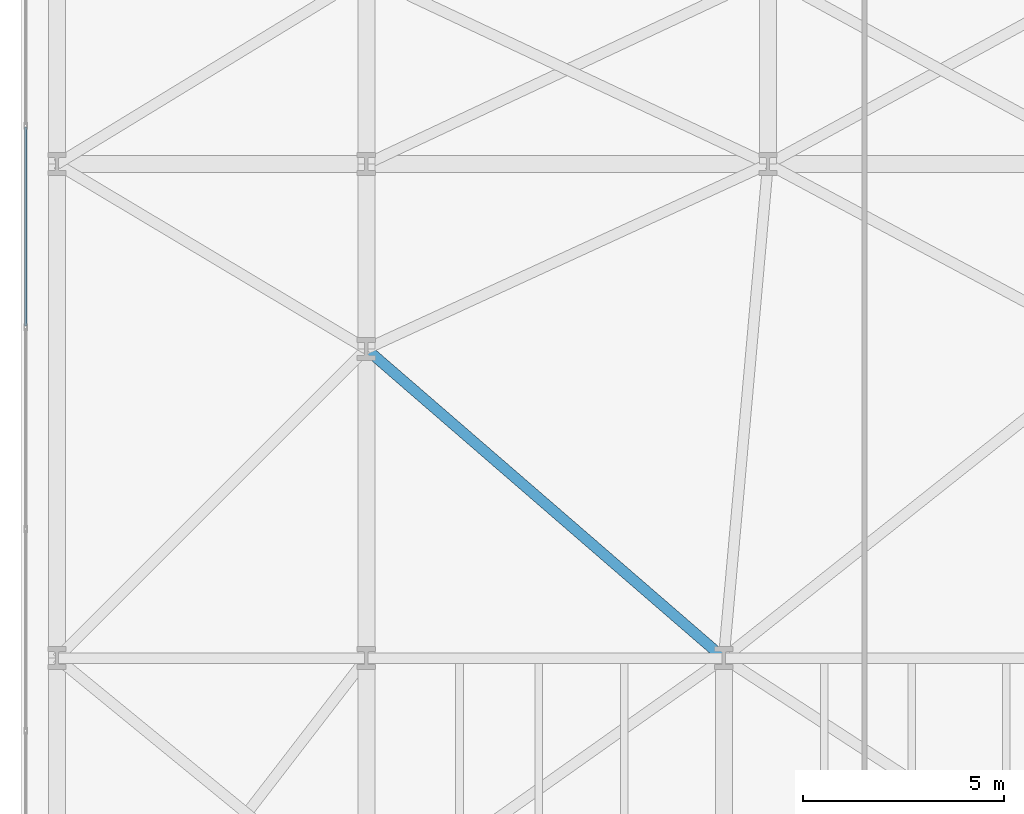
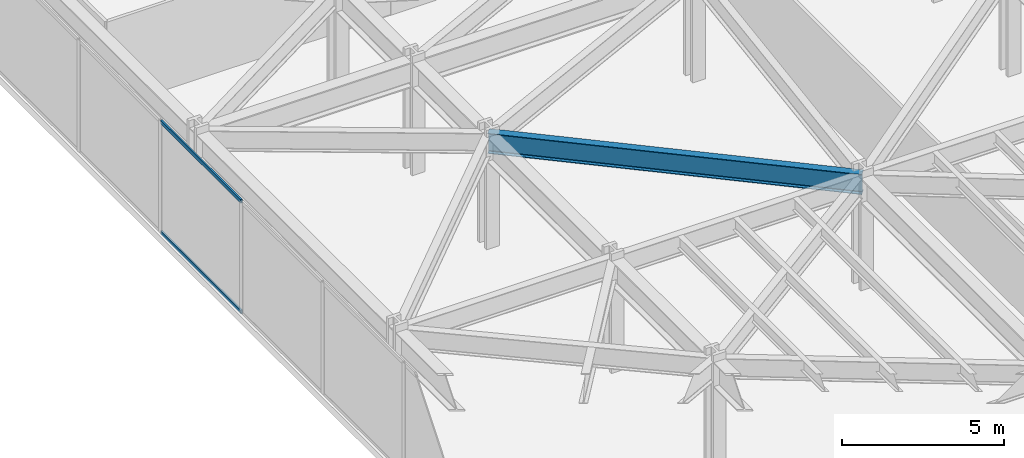
# One storey, part 9 of 28: 2 members, 1 beam, 1 element without a shape of its own.
"""IFC4 building model written with IfcOpenShell, lengths in metres."""

import ifcopenshell
import ifcopenshell.guid

model = None  # the IFC model being written
_history = None  # IfcOwnerHistory: only IFC2X3 demands one
_inside = {}  # id of a spatial element -> (the spatial element, [elements in it])
_under = {}  # id of a project, library or spatial element -> (it, [spatial elements below it])
_declared = {}  # id of a project -> (the project, [libraries it declares])
_typed = {}  # id of a type object -> (the type object, [elements of that type])
_made_of = {}  # id of a material, layer set ... -> (it, [elements and type objects made of it])


def new_model(schema):
    """Start an empty IFC model of exactly this schema.

    Asked for "IFC4X3", IfcOpenShell would pick the latest addendum, in which some entities
    have other attributes; the version numbers below select the first issue.
    IFC2X3 requires an IfcOwnerHistory on every rooted entity: one is made here for all.
    """
    global model, _history
    if schema == "IFC4X3":
        model = ifcopenshell.file(schema_version=(4, 3, 0, 0))
    else:
        model = ifcopenshell.file(schema=schema)
    _inside.clear()
    _under.clear()
    _declared.clear()
    _typed.clear()
    _made_of.clear()
    _history = None
    if model.schema == "IFC2X3":
        org = make("IfcOrganization", Name="unknown")
        user = make(
            "IfcPersonAndOrganization",
            ThePerson=make("IfcPerson", FamilyName="unknown"),
            TheOrganization=org,
        )
        app = make(
            "IfcApplication",
            ApplicationDeveloper=org,
            Version="unknown",
            ApplicationFullName="unknown",
            ApplicationIdentifier="unknown",
        )
        _history = make(
            "IfcOwnerHistory",
            OwningUser=user,
            OwningApplication=app,
            ChangeAction="ADDED",
            CreationDate=0,
        )
    return model


def make(cls, **values):
    """One entity of the class cls with the attributes given. An attribute that is None is left unset."""
    return model.create_entity(
        cls, **{name: value for name, value in values.items() if value is not None}
    )


def rooted(cls, **values):
    """An entity with a GlobalId (a new one), such as an element, a storey or a relation."""
    return make(cls, GlobalId=ifcopenshell.guid.new(), OwnerHistory=_history, **values)


def si_unit(unit_type, name, prefix=None):
    """IfcSIUnit, for example si_unit("LENGTHUNIT", "METRE", prefix="MILLI")."""
    return make("IfcSIUnit", UnitType=unit_type, Prefix=prefix, Name=name)


def assignment(units):
    """IfcUnitAssignment: the units of a project."""
    return None if units is None else make("IfcUnitAssignment", Units=units)


def point(xyz):
    """IfcCartesianPoint."""
    return None if xyz is None else make("IfcCartesianPoint", Coordinates=xyz)


def direction(xyz):
    """IfcDirection."""
    return None if xyz is None else make("IfcDirection", DirectionRatios=xyz)


def frame(location, z_axis=None, x_axis=None):
    """IfcAxis2Placement3D, a coordinate frame: its origin and axes. An axis left out is left unset."""
    return make(
        "IfcAxis2Placement3D",
        Location=point(location),
        Axis=direction(z_axis),
        RefDirection=direction(x_axis),
    )


def frame_2d(location, x_axis=None):
    """IfcAxis2Placement2D, a coordinate frame in the plane: its origin and x axis."""
    return make(
        "IfcAxis2Placement2D", Location=point(location), RefDirection=direction(x_axis)
    )


def origin():
    """The frame at (0, 0, 0) with its axes left unset."""
    return frame((0.0, 0.0, 0.0))


def origin_2d():
    """The frame at (0, 0) in the plane with its x axis left unset."""
    return frame_2d((0.0, 0.0))


def place(relative_to, where):
    """IfcLocalPlacement: puts the frame where relative to a parent placement (None: the world)."""
    return make(
        "IfcLocalPlacement", PlacementRelTo=relative_to, RelativePlacement=where
    )


def context(
    kind, dimensions, precision=None, world=None, true_north=None, identifier=None
):
    """IfcGeometricRepresentationContext, for example the 3D "Model" context."""
    return make(
        "IfcGeometricRepresentationContext",
        ContextIdentifier=identifier,
        ContextType=kind,
        CoordinateSpaceDimension=dimensions,
        Precision=precision,
        WorldCoordinateSystem=world,
        TrueNorth=true_north,
    )


def subcontext(parent, identifier, kind, view, scale=None):
    """IfcGeometricRepresentationSubContext, for example "Body" below "Model"."""
    return make(
        "IfcGeometricRepresentationSubContext",
        ContextIdentifier=identifier,
        ContextType=kind,
        ParentContext=parent,
        TargetScale=scale,
        TargetView=view,
    )


def project(units=None, contexts=None):
    """IfcProject with its units and contexts."""
    return rooted(
        "IfcProject",
        Name="project",
        RepresentationContexts=contexts,
        UnitsInContext=assignment(units),
    )


def spatial(cls, under=None, at=None, **own):
    """A site, building, storey or space (cls), placed at a placement, below another one or the project."""
    s = rooted(cls, ObjectPlacement=at, **own)
    if under is not None:
        _under.setdefault(under.id(), (under, []))[1].append(s)
    return s


def profile(cls, at=None, kind="AREA", **sizes):
    """A parametric profile (cls). Its sizes go by their IFC names, for example OverallWidth=200.0."""
    return make(cls, ProfileType=kind, Position=at, **sizes)


def hollow_rectangle(**sizes):
    """IfcRectangleHollowProfileDef."""
    return profile("IfcRectangleHollowProfileDef", **sizes)


def i_section(**sizes):
    """IfcIShapeProfileDef."""
    return profile("IfcIShapeProfileDef", **sizes)


def extrude(swept, where, along, depth):
    """IfcExtrudedAreaSolid: the profile swept, set in the frame where, extruded along a direction by depth."""
    return make(
        "IfcExtrudedAreaSolid",
        SweptArea=swept,
        Position=where,
        ExtrudedDirection=direction(along),
        Depth=depth,
    )


def shape(context_of_items, identifier, shape_type, items):
    """IfcShapeRepresentation: the items that make up one representation, for example the "Body"."""
    return make(
        "IfcShapeRepresentation",
        ContextOfItems=context_of_items,
        RepresentationIdentifier=identifier,
        RepresentationType=shape_type,
        Items=items,
    )


def material(Name=None, Category=None):
    """IfcMaterial."""
    return make("IfcMaterial", Name=Name, Category=Category)


def layer(
    of_material, thickness, ventilated=None, Name=None, Category=None, Priority=None
):
    """IfcMaterialLayer: one layer of a wall or slab, of a material (None: an air gap)."""
    return make(
        "IfcMaterialLayer",
        Material=of_material,
        LayerThickness=thickness,
        IsVentilated=ventilated,
        Name=Name,
        Category=Category,
        Priority=Priority,
    )


def layer_set(layers, Name=None):
    """IfcMaterialLayerSet."""
    return make("IfcMaterialLayerSet", MaterialLayers=layers, LayerSetName=Name)


def material_profile(
    of_material, cross_section, Name=None, Category=None, Priority=None
):
    """IfcMaterialProfile: a cross section and its material."""
    return make(
        "IfcMaterialProfile",
        Name=Name,
        Material=of_material,
        Profile=cross_section,
        Priority=Priority,
        Category=Category,
    )


def profile_set(profiles, Name=None, composite=None):
    """IfcMaterialProfileSet."""
    return make(
        "IfcMaterialProfileSet",
        Name=Name,
        MaterialProfiles=profiles,
        CompositeProfile=composite,
    )


def made_of(thing, what):
    """Note that an element or type object is made of a material, layer set ...; save() writes the relation."""
    if what is not None:
        _made_of.setdefault(what.id(), (what, []))[1].append(thing)
    return thing


def type_object(cls, material=None, **own):
    """A type object (cls), such as IfcWallType, which elements share."""
    return made_of(rooted(cls, **own), material)


def element(
    cls,
    number,
    at=None,
    inside=None,
    cuts=None,
    type_object=None,
    material=None,
    context=None,
    identifier="Body",
    shape_type=None,
    held_by="IfcProductDefinitionShape",
    body=None,
    shapes=None,
    **own,
):
    """One element of the class cls, such as IfcWall. Its Tag is "e" and its number.

    at: its placement. inside: the storey or other place that contains it. cuts: it is an
    opening in that element (IfcRelVoidsElement). A single representation is given by context,
    identifier, shape_type and body (its items); several are given by shapes. held_by: the class
    of the entity that holds the representations. save() writes the other relations.
    """
    e = rooted(cls, Tag="e%d" % number, ObjectPlacement=at, **own)
    if body is not None:
        shapes = [shape(context, identifier, shape_type, body)]
    if shapes is not None:
        e.Representation = make(held_by, Representations=shapes)
    if inside is not None:
        _inside.setdefault(inside.id(), (inside, []))[1].append(e)
    if cuts is not None:
        rooted(
            "IfcRelVoidsElement", RelatingBuildingElement=cuts, RelatedOpeningElement=e
        )
    if type_object is not None:
        _typed.setdefault(type_object.id(), (type_object, []))[1].append(e)
    return made_of(e, material)


def aggregate(whole, parts):
    """IfcRelAggregates: a whole, such as a stair, and the parts it consists of."""
    return rooted("IfcRelAggregates", RelatingObject=whole, RelatedObjects=parts)


def save(model, path):
    """Write the relations noted so far, then the file.

    IfcRelAggregates (storeys below a building ...), IfcRelContainedInSpatialStructure (elements
    in a storey), IfcRelDefinesByType, IfcRelAssociatesMaterial and IfcRelDeclares: one each for
    every whole, place, type object, material and project.
    """
    for whole, parts in _under.values():
        aggregate(whole, parts)
    for where, things in _inside.values():
        rooted(
            "IfcRelContainedInSpatialStructure",
            RelatedElements=things,
            RelatingStructure=where,
        )
    for kind, things in _typed.values():
        rooted("IfcRelDefinesByType", RelatedObjects=things, RelatingType=kind)
    for what, things in _made_of.values():
        rooted("IfcRelAssociatesMaterial", RelatedObjects=things, RelatingMaterial=what)
    for by, libraries in _declared.values():
        rooted("IfcRelDeclares", RelatingContext=by, RelatedDefinitions=libraries)
    model.write(path)


model = new_model("IFC4")

# Units and contexts
model_context = context("Model", 3, precision=1e-05, world=origin(), true_north=direction((0.0, 1.0)))
body_context = subcontext(model_context, "Body", "Model", "MODEL_VIEW")
ifc_project = project(units=[si_unit("LENGTHUNIT", "METRE"), si_unit("AREAUNIT", "SQUARE_METRE"), si_unit("VOLUMEUNIT", "CUBIC_METRE"), si_unit("PLANEANGLEUNIT", "RADIAN"), si_unit("MASSUNIT", "GRAM", prefix="KILO")], contexts=[model_context])

# Site, building, storey
site_placement = place(None, origin())
site = spatial("IfcSite", under=ifc_project, at=site_placement, CompositionType="ELEMENT")
building_placement = place(site_placement, origin())
building = spatial("IfcBuilding", under=site, at=building_placement, Name="Kravanh Interchange Tower", CompositionType="ELEMENT")
storey_placement = place(building_placement, frame((0.0, 0.0, 15.300048828125)))
storey = spatial("IfcBuildingStorey", under=building, at=storey_placement, Name="L03", CompositionType="ELEMENT", Elevation=15.300048828125)

# Curtain wall, members
ifc_material_1 = material(Name="Anodised Bronze Aluminium", Category="aluminium")
ifc_layer = layer(ifc_material_1, 0.179931640625)
ifc_layer_set = layer_set([ifc_layer], Name="Unitised Curtain Wall System CW-POD Podium Concourse")
curtain_wall_type = type_object("IfcCurtainWallType", Name="Unitised Curtain Wall System CW-POD Podium Concourse", PredefinedType="NOTDEFINED", material=ifc_layer_set)
curtain_wall_placement = place(storey_placement, origin())
curtain_wall = element("IfcCurtainWall", 1, at=curtain_wall_placement, inside=storey, type_object=curtain_wall_type, Name="L03 Unitised Curtain Wall CW-L03-01", PredefinedType="NOTDEFINED")
ifc_material_2 = material(Name="Anodised Bronze Aluminium", Category="aluminium")
ifc_material_profile_1 = material_profile(ifc_material_2, hollow_rectangle(XDim=0.06005859375, YDim=0.139892578125, WallThickness=0.00390625, at=origin_2d()), Name="ALU60X140X4")
ifc_profile_set_1 = profile_set([ifc_material_profile_1], Name="Anodised Bronze Aluminium")
member_type = type_object("IfcMemberType", Name="Curtain Wall Transom ALU60X140X4 Bronze", PredefinedType="USERDEFINED", material=ifc_profile_set_1)
member_1_placement = place(storey_placement, frame((0.1201171875, 22.7705078125, 0.030029296875), z_axis=(0.0, 1.0, 0.0), x_axis=(-1.0, 0.0, 0.0)))
member_1 = element("IfcMember", 2, at=member_1_placement, type_object=member_type, Name="CW-POD transom 5.1", ObjectType="TRANSOM", PredefinedType="USERDEFINED", context=body_context, shape_type="SweptSolid", body=[
    extrude(hollow_rectangle(XDim=0.06005859375, YDim=0.139892578125, WallThickness=0.00390625, at=origin_2d()), origin(), (0.0, 0.0, 1.0), 4.95166015625),
])
member_2_placement = place(storey_placement, frame((0.1201171875, 22.7705078125, 4.199951171875), z_axis=(0.0, 1.0, 0.0), x_axis=(-1.0, 0.0, 0.0)))
member_2 = element("IfcMember", 3, at=member_2_placement, type_object=member_type, Name="CW-POD transom 5.2", ObjectType="TRANSOM", PredefinedType="USERDEFINED", context=body_context, shape_type="SweptSolid", body=[
    extrude(hollow_rectangle(XDim=0.06005859375, YDim=0.139892578125, WallThickness=0.00390625, at=origin_2d()), origin(), (0.0, 0.0, 1.0), 4.95166015625),
])
aggregate(curtain_wall, [member_1, member_2])

# Beam
ifc_material_3 = material(Name="Structural Steel S355", Category="steel")
ifc_material_profile_2 = material_profile(ifc_material_3, i_section(OverallWidth=0.26708984375, OverallDepth=0.761962890625, WebThickness=0.014404296875, FlangeThickness=0.021484375, FilletRadius=0.02490234375, at=origin_2d()), Name="W30X116")
ifc_profile_set_2 = profile_set([ifc_material_profile_2], Name="Structural Steel S355")
beam_type = type_object("IfcBeamType", Name="Floor Spandrel W30X116 Structural Steel S355", PredefinedType="SPANDREL", material=ifc_profile_set_2)
beam_placement = place(storey_placement, frame((17.5, 14.5, 3.848876953125), z_axis=(-0.756248034465, 0.654285037554, 0.0), x_axis=(-0.654285037554, -0.756248034465, 0.0)))
element("IfcBeam", 4, at=beam_placement, inside=storey, type_object=beam_type, Name="L03 Perimeter Spandrel 42", PredefinedType="SPANDREL", context=body_context, shape_type="SweptSolid", body=[
    extrude(i_section(OverallWidth=0.26708984375, OverallDepth=0.761962890625, WebThickness=0.014404296875, FlangeThickness=0.021484375, FilletRadius=0.02490234375, at=origin_2d()), origin(), (0.0, 0.0, 1.0), 11.7685546875),
])

save(model, "model.ifc")
